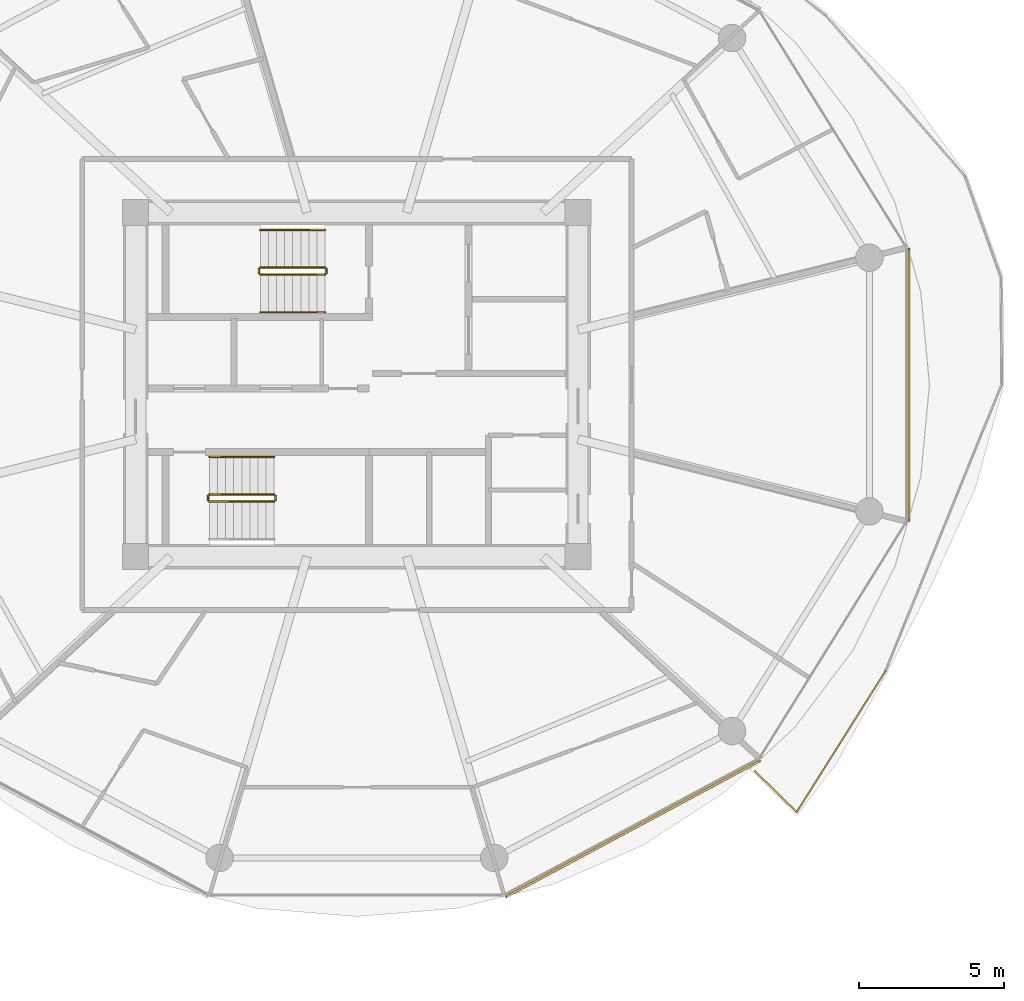
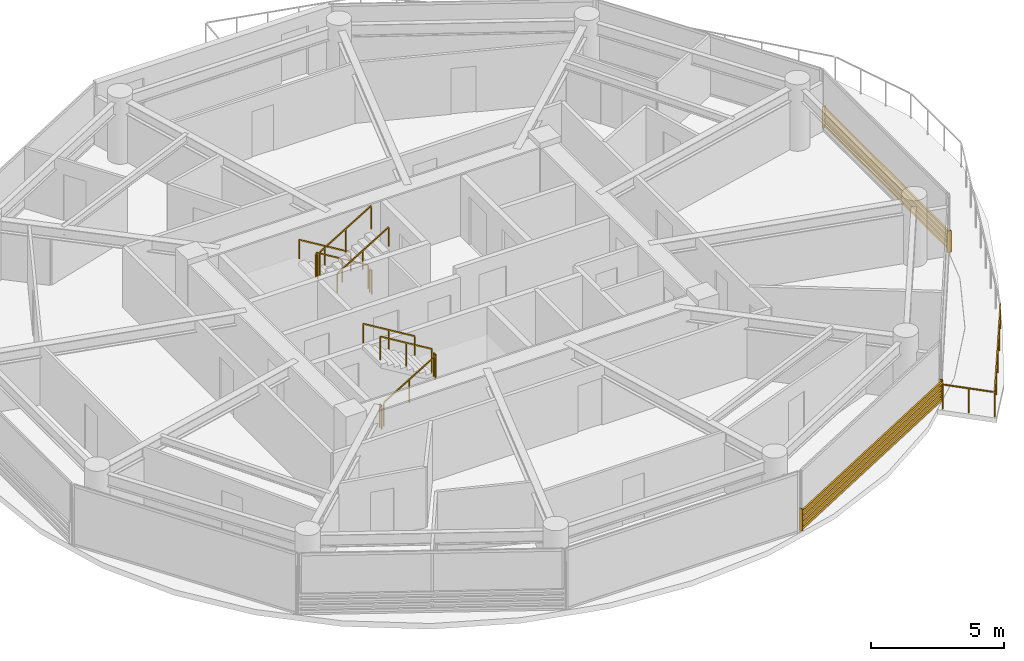
# One storey, part 27 of 28: 12 railings, 2 shading devices.
"""IFC4 building model written with IfcOpenShell, lengths in metres."""

from ifc_helpers import new_model, si_unit, direction, frame, origin, origin_2d, place, context, subcontext, project, spatial, rectangle, extrude, source, transform, mapped, material, type_object, type_shapes, element, save


model = new_model("IFC4")

# Units and contexts
model_context = context("Model", 3, precision=1e-05, world=origin(), true_north=direction((0.0, 1.0)))
body_context = subcontext(model_context, "Body", "Model", "MODEL_VIEW")
ifc_project = project(units=[si_unit("LENGTHUNIT", "METRE"), si_unit("AREAUNIT", "SQUARE_METRE"), si_unit("VOLUMEUNIT", "CUBIC_METRE"), si_unit("PLANEANGLEUNIT", "RADIAN"), si_unit("MASSUNIT", "GRAM", prefix="KILO")], contexts=[model_context])

# Site, building, storey
site_placement = place(None, origin())
site = spatial("IfcSite", under=ifc_project, at=site_placement, CompositionType="ELEMENT")
building_placement = place(site_placement, origin())
building = spatial("IfcBuilding", under=site, at=building_placement, Name="Norrkilde Senior Care Towers", CompositionType="ELEMENT")
storey_placement = place(building_placement, frame((0.0, 0.0, 39.89990234375)))
storey = spatial("IfcBuildingStorey", under=building, at=storey_placement, Name="L11", CompositionType="ELEMENT", Elevation=39.89990234375)

# Railings
ifc_material_1 = material(Name="Anodised Aluminium", Category="aluminium")
railing_type_1 = type_object("IfcRailingType", Name="Balcony Swirl Ribbon Guardrail 1150", PredefinedType="GUARDRAIL", material=ifc_material_1)
railing_1_placement = place(storey_placement, frame((46.2802734375, -9.91015625, 0.0)))
element("IfcRailing", 1, at=railing_1_placement, inside=storey, type_object=railing_type_1, Name="L11 Perimeter Safety Guard 01", PredefinedType="GUARDRAIL", context=body_context, shape_type="SweptSolid", body=[
    extrude(rectangle(XDim=0.048095703125, YDim=0.048095703125, at=origin_2d()), frame((0.0, 0.0, 1.1259765625), z_axis=(-0.532917806394, -0.846167011664, 0.0), x_axis=(0.846167011664, -0.532917806394, 0.0)), (0.0, 0.0, 1.0), 5.719482421875),
    extrude(rectangle(XDim=0.048095703125, YDim=0.048095703125, at=origin_2d()), frame((-3.09912109375, -4.845703125, 1.1259765625), z_axis=(-0.714389441702, 0.699748330177, 0.0), x_axis=(-0.699748330177, -0.714389441702, 0.0)), (0.0, 0.0, 1.0), 1.976806640625),
    extrude(rectangle(XDim=0.0419921875, YDim=0.0419921875, at=origin_2d()), origin(), (0.0, 0.0, 1.0), 1.099853515625),
    extrude(rectangle(XDim=0.0419921875, YDim=0.0419921875, at=origin_2d()), frame((-0.767578125, -1.218505859375, 0.0)), (0.0, 0.0, 1.0), 1.099853515625),
    extrude(rectangle(XDim=0.0419921875, YDim=0.0419921875, at=origin_2d()), frame((-1.534912109375, -2.43701171875, 0.0)), (0.0, 0.0, 1.0), 1.099853515625),
    extrude(rectangle(XDim=0.0419921875, YDim=0.0419921875, at=origin_2d()), frame((-2.30224609375, -3.65576171875, 0.0)), (0.0, 0.0, 1.0), 1.099853515625),
    extrude(rectangle(XDim=0.0419921875, YDim=0.0419921875, at=origin_2d()), frame((-3.06982421875, -4.874267578125, 0.0)), (0.0, 0.0, 1.0), 1.099853515625),
    extrude(rectangle(XDim=0.0419921875, YDim=0.0419921875, at=origin_2d()), frame((-3.79052734375, -4.16845703125, 0.0)), (0.0, 0.0, 1.0), 1.099853515625),
    extrude(rectangle(XDim=0.0419921875, YDim=0.0419921875, at=origin_2d()), frame((-4.51123046875, -3.46240234375, 0.0)), (0.0, 0.0, 1.0), 1.099853515625),
])
ifc_material_2 = material(Name="Stainless Steel", Category="steel")
railing_type_2 = type_object("IfcRailingType", Name="Stair and Terrace Guardrail 1100", PredefinedType="GUARDRAIL", material=ifc_material_2)
railing_2_placement = place(storey_placement, frame((26.89990234375, 4.050048828125, 0.16943359375)))
element("IfcRailing", 2, at=railing_2_placement, inside=storey, type_object=railing_type_2, Name="L11 ST-E1 stair guard 1", PredefinedType="GUARDRAIL", context=body_context, shape_type="SweptSolid", body=[
    extrude(rectangle(XDim=0.048095703125, YDim=0.048095703125, at=origin_2d()), frame((0.0, 0.0, 1.076171875), z_axis=(-0.855512035549, 0.0, 0.517782924622), x_axis=(0.0, -1.0, 0.0)), (0.0, 0.0, 1.0), 2.618408203125),
    extrude(rectangle(XDim=0.0419921875, YDim=0.0419921875, at=origin_2d()), origin(), (0.0, 0.0, 1.0), 1.050048828125),
    extrude(rectangle(XDim=0.0419921875, YDim=0.0419921875, at=origin_2d()), frame((-1.1201171875, 0.0, 0.677734375)), (0.0, 0.0, 1.0), 1.050048828125),
    extrude(rectangle(XDim=0.0419921875, YDim=0.0419921875, at=origin_2d()), frame((-2.239990234375, 0.0, 1.355712890625)), (0.0, 0.0, 1.0), 1.050048828125),
])
railing_3_placement = place(storey_placement, frame((24.610107421875, 4.0, 1.525146484375)))
element("IfcRailing", 3, at=railing_3_placement, inside=storey, type_object=railing_type_2, Name="L11 ST-E1 stair guard 2", PredefinedType="GUARDRAIL", context=body_context, shape_type="SweptSolid", body=[
    extrude(rectangle(XDim=0.048095703125, YDim=0.048095703125, at=origin_2d()), frame((0.0, 0.0, 1.076171875), z_axis=(0.0, -1.0, 0.0), x_axis=(1.0, 0.0, 0.0)), (0.0, 0.0, 1.0), 0.14990234375),
    extrude(rectangle(XDim=0.0419921875, YDim=0.0419921875, at=origin_2d()), origin(), (0.0, 0.0, 1.0), 1.050048828125),
    extrude(rectangle(XDim=0.0419921875, YDim=0.0419921875, at=origin_2d()), frame((0.0, -0.14990234375, 0.0)), (0.0, 0.0, 1.0), 1.050048828125),
])
railing_4_placement = place(storey_placement, frame((24.659912109375, 3.800048828125, 1.694580078125)))
element("IfcRailing", 4, at=railing_4_placement, inside=storey, type_object=railing_type_2, Name="L11 ST-E1 stair guard 3", PredefinedType="GUARDRAIL", context=body_context, shape_type="SweptSolid", body=[
    extrude(rectangle(XDim=0.048095703125, YDim=0.048095703125, at=origin_2d()), frame((0.0, 0.0, 1.076171875), z_axis=(0.855553338991, 0.0, 0.51771467445), x_axis=(0.0, 1.0, 0.0)), (0.0, 0.0, 1.0), 2.6181640625),
    extrude(rectangle(XDim=0.0419921875, YDim=0.0419921875, at=origin_2d()), origin(), (0.0, 0.0, 1.0), 1.050048828125),
    extrude(rectangle(XDim=0.0419921875, YDim=0.0419921875, at=origin_2d()), frame((1.1201171875, 0.0, 0.677734375)), (0.0, 0.0, 1.0), 1.050048828125),
    extrude(rectangle(XDim=0.0419921875, YDim=0.0419921875, at=origin_2d()), frame((2.239990234375, 0.0, 1.35546875)), (0.0, 0.0, 1.0), 1.050048828125),
])
railing_5_placement = place(storey_placement, frame((26.949951171875, 4.0, 0.0)))
element("IfcRailing", 5, at=railing_5_placement, inside=storey, type_object=railing_type_2, Name="L11 ST-E1 stair guard 4", PredefinedType="GUARDRAIL", context=body_context, shape_type="SweptSolid", body=[
    extrude(rectangle(XDim=0.048095703125, YDim=0.048095703125, at=origin_2d()), frame((0.0, 0.0, 1.076171875), z_axis=(0.0, -1.0, 0.0), x_axis=(1.0, 0.0, 0.0)), (0.0, 0.0, 1.0), 0.14990234375),
    extrude(rectangle(XDim=0.0419921875, YDim=0.0419921875, at=origin_2d()), origin(), (0.0, 0.0, 1.0), 1.050048828125),
    extrude(rectangle(XDim=0.0419921875, YDim=0.0419921875, at=origin_2d()), frame((0.0, -0.14990234375, 0.0)), (0.0, 0.0, 1.0), 1.050048828125),
])
railing_6_placement = place(storey_placement, frame((22.89990234375, -4.050048828125, 0.16943359375)))
element("IfcRailing", 6, at=railing_6_placement, inside=storey, type_object=railing_type_2, Name="L11 ST-E2 stair guard 1", PredefinedType="GUARDRAIL", context=body_context, shape_type="SweptSolid", body=[
    extrude(rectangle(XDim=0.048095703125, YDim=0.048095703125, at=origin_2d()), frame((0.0, 0.0, 1.076171875), z_axis=(0.855512035549, 0.0, 0.517782924622), x_axis=(0.0, 1.0, 0.0)), (0.0, 0.0, 1.0), 2.618408203125),
    extrude(rectangle(XDim=0.0419921875, YDim=0.0419921875, at=origin_2d()), origin(), (0.0, 0.0, 1.0), 1.050048828125),
    extrude(rectangle(XDim=0.0419921875, YDim=0.0419921875, at=origin_2d()), frame((1.1201171875, 0.0, 0.677734375)), (0.0, 0.0, 1.0), 1.050048828125),
    extrude(rectangle(XDim=0.0419921875, YDim=0.0419921875, at=origin_2d()), frame((2.239990234375, 0.0, 1.355712890625)), (0.0, 0.0, 1.0), 1.050048828125),
])
railing_7_placement = place(storey_placement, frame((25.18994140625, -4.0, 1.525146484375)))
element("IfcRailing", 7, at=railing_7_placement, inside=storey, type_object=railing_type_2, Name="L11 ST-E2 stair guard 2", PredefinedType="GUARDRAIL", context=body_context, shape_type="SweptSolid", body=[
    extrude(rectangle(XDim=0.048095703125, YDim=0.048095703125, at=origin_2d()), frame((0.0, 0.0, 1.076171875), z_axis=(0.0, 1.0, 0.0), x_axis=(-1.0, 0.0, 0.0)), (0.0, 0.0, 1.0), 0.14990234375),
    extrude(rectangle(XDim=0.0419921875, YDim=0.0419921875, at=origin_2d()), origin(), (0.0, 0.0, 1.0), 1.050048828125),
    extrude(rectangle(XDim=0.0419921875, YDim=0.0419921875, at=origin_2d()), frame((0.0, 0.14990234375, 0.0)), (0.0, 0.0, 1.0), 1.050048828125),
])
railing_8_placement = place(storey_placement, frame((25.139892578125, -3.800048828125, 1.694580078125)))
element("IfcRailing", 8, at=railing_8_placement, inside=storey, type_object=railing_type_2, Name="L11 ST-E2 stair guard 3", PredefinedType="GUARDRAIL", context=body_context, shape_type="SweptSolid", body=[
    extrude(rectangle(XDim=0.048095703125, YDim=0.048095703125, at=origin_2d()), frame((0.0, 0.0, 1.076171875), z_axis=(-0.855553338991, 0.0, 0.51771467445), x_axis=(0.0, -1.0, 0.0)), (0.0, 0.0, 1.0), 2.6181640625),
    extrude(rectangle(XDim=0.0419921875, YDim=0.0419921875, at=origin_2d()), origin(), (0.0, 0.0, 1.0), 1.050048828125),
    extrude(rectangle(XDim=0.0419921875, YDim=0.0419921875, at=origin_2d()), frame((-1.1201171875, 0.0, 0.677734375)), (0.0, 0.0, 1.0), 1.050048828125),
    extrude(rectangle(XDim=0.0419921875, YDim=0.0419921875, at=origin_2d()), frame((-2.239990234375, 0.0, 1.35546875)), (0.0, 0.0, 1.0), 1.050048828125),
])
railing_9_placement = place(storey_placement, frame((22.85009765625, -4.0, 0.0)))
element("IfcRailing", 9, at=railing_9_placement, inside=storey, type_object=railing_type_2, Name="L11 ST-E2 stair guard 4", PredefinedType="GUARDRAIL", context=body_context, shape_type="SweptSolid", body=[
    extrude(rectangle(XDim=0.048095703125, YDim=0.048095703125, at=origin_2d()), frame((0.0, 0.0, 1.076171875), z_axis=(0.0, 1.0, 0.0), x_axis=(-1.0, 0.0, 0.0)), (0.0, 0.0, 1.0), 0.14990234375),
    extrude(rectangle(XDim=0.0419921875, YDim=0.0419921875, at=origin_2d()), origin(), (0.0, 0.0, 1.0), 1.050048828125),
    extrude(rectangle(XDim=0.0419921875, YDim=0.0419921875, at=origin_2d()), frame((0.0, 0.14990234375, 0.0)), (0.0, 0.0, 1.0), 1.050048828125),
])
ifc_material_3 = material(Name="Nordic Ash Timber", Category="wood")
railing_type_3 = type_object("IfcRailingType", Name="Wall and Stair Handrail 900", PredefinedType="HANDRAIL", material=ifc_material_3)
railing_10_placement = place(storey_placement, frame((26.89990234375, 5.35009765625, 0.16943359375)))
element("IfcRailing", 10, at=railing_10_placement, inside=storey, type_object=railing_type_3, Name="L11 ST-E1 stair handrail 1", PredefinedType="HANDRAIL", context=body_context, shape_type="SweptSolid", body=[
    extrude(rectangle(XDim=0.048095703125, YDim=0.048095703125, at=origin_2d()), frame((0.0, 0.0, 0.8759765625), z_axis=(-0.855512035549, 0.0, 0.517782924622), x_axis=(0.0, -1.0, 0.0)), (0.0, 0.0, 1.0), 2.618408203125),
    extrude(rectangle(XDim=0.0419921875, YDim=0.0419921875, at=origin_2d()), origin(), (0.0, 0.0, 1.0), 0.849853515625),
    extrude(rectangle(XDim=0.0419921875, YDim=0.0419921875, at=origin_2d()), frame((-1.1201171875, 0.0, 0.677734375)), (0.0, 0.0, 1.0), 0.849853515625),
    extrude(rectangle(XDim=0.0419921875, YDim=0.0419921875, at=origin_2d()), frame((-2.239990234375, 0.0, 1.355712890625)), (0.0, 0.0, 1.0), 0.849853515625),
])
railing_11_placement = place(storey_placement, frame((24.659912109375, 2.5, 1.694580078125)))
element("IfcRailing", 11, at=railing_11_placement, inside=storey, type_object=railing_type_3, Name="L11 ST-E1 stair handrail 2", PredefinedType="HANDRAIL", context=body_context, shape_type="SweptSolid", body=[
    extrude(rectangle(XDim=0.048095703125, YDim=0.048095703125, at=origin_2d()), frame((0.0, 0.0, 0.8759765625), z_axis=(0.855553338991, 0.0, 0.51771467445), x_axis=(0.0, 1.0, 0.0)), (0.0, 0.0, 1.0), 2.6181640625),
    extrude(rectangle(XDim=0.0419921875, YDim=0.0419921875, at=origin_2d()), origin(), (0.0, 0.0, 1.0), 0.849853515625),
    extrude(rectangle(XDim=0.0419921875, YDim=0.0419921875, at=origin_2d()), frame((1.1201171875, 0.0, 0.677734375)), (0.0, 0.0, 1.0), 0.849853515625),
    extrude(rectangle(XDim=0.0419921875, YDim=0.0419921875, at=origin_2d()), frame((2.239990234375, 0.0, 1.35546875)), (0.0, 0.0, 1.0), 0.849853515625),
])
railing_12_placement = place(storey_placement, frame((25.139892578125, -2.5, 1.694580078125)))
element("IfcRailing", 12, at=railing_12_placement, inside=storey, type_object=railing_type_3, Name="L11 ST-E2 stair handrail 2", PredefinedType="HANDRAIL", context=body_context, shape_type="SweptSolid", body=[
    extrude(rectangle(XDim=0.048095703125, YDim=0.048095703125, at=origin_2d()), frame((0.0, 0.0, 0.8759765625), z_axis=(-0.855553338991, 0.0, 0.51771467445), x_axis=(0.0, -1.0, 0.0)), (0.0, 0.0, 1.0), 2.6181640625),
    extrude(rectangle(XDim=0.0419921875, YDim=0.0419921875, at=origin_2d()), origin(), (0.0, 0.0, 1.0), 0.849853515625),
    extrude(rectangle(XDim=0.0419921875, YDim=0.0419921875, at=origin_2d()), frame((-1.1201171875, 0.0, 0.677734375)), (0.0, 0.0, 1.0), 0.849853515625),
    extrude(rectangle(XDim=0.0419921875, YDim=0.0419921875, at=origin_2d()), frame((-2.239990234375, 0.0, 1.35546875)), (0.0, 0.0, 1.0), 0.849853515625),
])

# Shading devices
ifc_material_4 = material(Name="Architectural Terracotta", Category="masonry")
shading_device_type = type_object("IfcShadingDeviceType", Name="Horizontal Terracotta Baguette Rack", PredefinedType="USERDEFINED", material=ifc_material_4)
shared_shape_1 = source(origin(), body_context, "Body", "SweptSolid", [
    extrude(rectangle(XDim=0.070068359375, YDim=0.110107421875, at=origin_2d()), frame((0.0, 0.090087890625, 0.125), z_axis=(1.0, 0.0, 0.0), x_axis=(0.0, 1.0, 0.0)), (0.0, 0.0, 1.0), 10.0107421875),
    extrude(rectangle(XDim=0.070068359375, YDim=0.110107421875, at=origin_2d()), frame((0.0, 0.090087890625, 0.375), z_axis=(1.0, 0.0, 0.0), x_axis=(0.0, 1.0, 0.0)), (0.0, 0.0, 1.0), 10.0107421875),
    extrude(rectangle(XDim=0.070068359375, YDim=0.110107421875, at=origin_2d()), frame((0.0, 0.090087890625, 0.625), z_axis=(1.0, 0.0, 0.0), x_axis=(0.0, 1.0, 0.0)), (0.0, 0.0, 1.0), 10.0107421875),
    extrude(rectangle(XDim=0.070068359375, YDim=0.110107421875, at=origin_2d()), frame((0.0, 0.090087890625, 0.875), z_axis=(1.0, 0.0, 0.0), x_axis=(0.0, 1.0, 0.0)), (0.0, 0.0, 1.0), 10.0107421875),
    extrude(rectangle(XDim=0.050048828125, YDim=0.1552734375, at=origin_2d()), frame((0.02490234375, 0.047607421875, 0.0)), (0.0, 0.0, 1.0), 1.0),
    extrude(rectangle(XDim=0.050048828125, YDim=0.1552734375, at=origin_2d()), frame((9.98583984375, 0.047607421875, 0.0)), (0.0, 0.0, 1.0), 1.0),
])
shading_device_1_placement = place(storey_placement, frame((41.915771484375, -12.926025390625, 0.080078125), z_axis=(0.0, 0.0, 1.0), x_axis=(-0.881279875134, -0.472612428056, 0.0)))
element("IfcShadingDevice", 13, at=shading_device_1_placement, inside=storey, type_object=shading_device_type, Name="L11 Drum E Terracotta Baguette Screen 09", ObjectType="BAGUETTE", PredefinedType="USERDEFINED", context=body_context, shape_type="MappedRepresentation", body=[
    mapped(shared_shape_1, transform((0.0, 0.0, 0.0), x_axis=(1.0, 0.0, 0.0), y_axis=(0.0, 1.0, 0.0), z_axis=(0.0, 0.0, 1.0), scale=1.0)),
])
shared_shape_2 = source(origin(), body_context, "Body", "SweptSolid", [
    extrude(rectangle(XDim=0.070068359375, YDim=0.110107421875, at=origin_2d()), frame((0.0, 0.090087890625, 0.125), z_axis=(1.0, 0.0, 0.0), x_axis=(0.0, 1.0, 0.0)), (0.0, 0.0, 1.0), 9.46240234375),
    extrude(rectangle(XDim=0.070068359375, YDim=0.110107421875, at=origin_2d()), frame((0.0, 0.090087890625, 0.375), z_axis=(1.0, 0.0, 0.0), x_axis=(0.0, 1.0, 0.0)), (0.0, 0.0, 1.0), 9.46240234375),
    extrude(rectangle(XDim=0.070068359375, YDim=0.110107421875, at=origin_2d()), frame((0.0, 0.090087890625, 0.625), z_axis=(1.0, 0.0, 0.0), x_axis=(0.0, 1.0, 0.0)), (0.0, 0.0, 1.0), 9.46240234375),
    extrude(rectangle(XDim=0.070068359375, YDim=0.110107421875, at=origin_2d()), frame((0.0, 0.090087890625, 0.875), z_axis=(1.0, 0.0, 0.0), x_axis=(0.0, 1.0, 0.0)), (0.0, 0.0, 1.0), 9.46240234375),
    extrude(rectangle(XDim=0.050048828125, YDim=0.1552734375, at=origin_2d()), frame((0.02490234375, 0.047607421875, 0.0)), (0.0, 0.0, 1.0), 1.0),
    extrude(rectangle(XDim=0.050048828125, YDim=0.1552734375, at=origin_2d()), frame((9.4375, 0.047607421875, 0.0)), (0.0, 0.0, 1.0), 1.0),
])
type_shapes(shading_device_type, [shared_shape_1, shared_shape_2])
shading_device_2_placement = place(storey_placement, frame((47.009521484375, 4.731201171875, 0.080078125), z_axis=(0.0, 0.0, 1.0), x_axis=(0.0, -1.0, 0.0)))
element("IfcShadingDevice", 14, at=shading_device_2_placement, inside=storey, type_object=shading_device_type, Name="L11 Drum E Terracotta Baguette Screen 11", ObjectType="BAGUETTE", PredefinedType="USERDEFINED", context=body_context, shape_type="MappedRepresentation", body=[
    mapped(shared_shape_2, transform((0.0, 0.0, 0.0), x_axis=(1.0, 0.0, 0.0), y_axis=(0.0, 1.0, 0.0), z_axis=(0.0, 0.0, 1.0), scale=1.0)),
])

save(model, "model.ifc")
